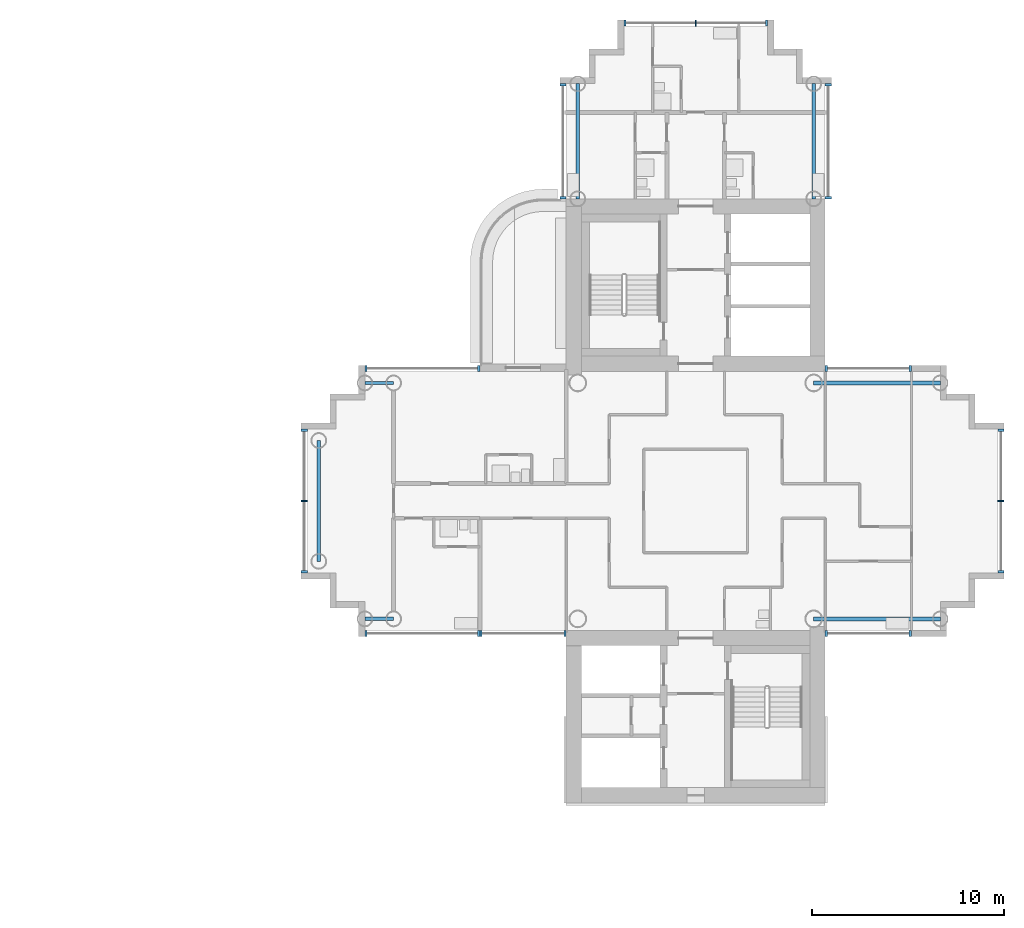
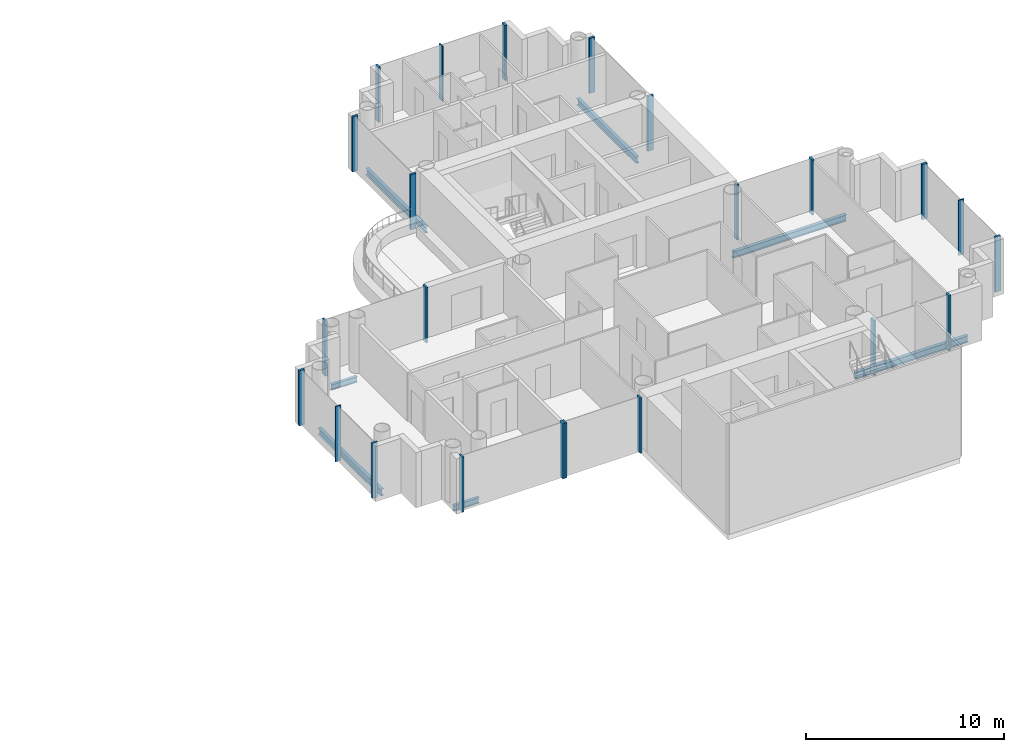
# One storey, part 4 of 20: 23 members, 7 beams, 10 elements without a shape of their own.
"""IFC4 building model written with IfcOpenShell, lengths in metres."""

from ifc_helpers import new_model, si_unit, direction, frame, origin, origin_2d, place, context, subcontext, project, spatial, rectangle, i_section, extrude, material, layer, layer_set, material_profile, profile_set, type_object, element, aggregate, save


model = new_model("IFC4")

# Units and contexts
model_context = context("Model", 3, precision=1e-05, world=origin(), true_north=direction((0.0, 1.0)))
body_context = subcontext(model_context, "Body", "Model", "MODEL_VIEW")
ifc_project = project(units=[si_unit("LENGTHUNIT", "METRE"), si_unit("AREAUNIT", "SQUARE_METRE"), si_unit("VOLUMEUNIT", "CUBIC_METRE"), si_unit("PLANEANGLEUNIT", "RADIAN"), si_unit("MASSUNIT", "GRAM", prefix="KILO")], contexts=[model_context])

# Site, building, storey
site_placement = place(None, origin())
site = spatial("IfcSite", under=ifc_project, at=site_placement, CompositionType="ELEMENT")
building_placement = place(site_placement, origin())
building = spatial("IfcBuilding", under=site, at=building_placement, Name="Ipe Terrace Towers", CompositionType="ELEMENT")
storey_placement = place(building_placement, frame((0.0, 0.0, 167.699951171875)))
storey = spatial("IfcBuildingStorey", under=building, at=storey_placement, Name="L46", CompositionType="ELEMENT", Elevation=167.699951171875)

# Beams
ifc_material_1 = material(Name="Steel S355", Category="steel")
ifc_material_profile_1 = material_profile(ifc_material_1, i_section(OverallWidth=0.175048828125, OverallDepth=0.35009765625, WebThickness=0.007080078125, FlangeThickness=0.010986328125, at=origin_2d()), Name="H-350x175x7x11")
ifc_profile_set_1 = profile_set([ifc_material_profile_1], Name="Steel S355")
beam_type_1 = type_object("IfcBeamType", Name="H04 EDGE BEAM H-350x175x7x11", PredefinedType="BEAM", material=ifc_profile_set_1)
for number, where, z_axis, x_axis, name in (
    (1, (20.25, 6.14990234375, -0.574951171875), (-1.0, 0.0, 0.0), (0.0, -1.0, 0.0), "Edge beam T2-EB-B03-B05"),
    (2, (20.25, -6.14990234375, -0.574951171875), (-1.0, 0.0, 0.0), (0.0, -1.0, 0.0), "Edge beam T2-EB-B04-B06"),
):
    element("IfcBeam", number, at=place(storey_placement, frame(where, z_axis=z_axis, x_axis=x_axis)), inside=storey, type_object=beam_type_1, Name=name, PredefinedType="BEAM", context=body_context, shape_type="SweptSolid", body=[
        extrude(i_section(OverallWidth=0.175048828125, OverallDepth=0.35009765625, WebThickness=0.007080078125, FlangeThickness=0.010986328125, at=origin_2d()), origin(), (0.0, 0.0, 1.0), 1.5),
    ])
ifc_material_2 = material(Name="Steel S355", Category="steel")
ifc_material_profile_2 = material_profile(ifc_material_2, i_section(OverallWidth=0.199951171875, OverallDepth=0.39990234375, WebThickness=0.008056640625, FlangeThickness=0.012939453125, at=origin_2d()), Name="H-400x200x8x13")
ifc_profile_set_2 = profile_set([ifc_material_profile_2], Name="Steel S355")
beam_type_2 = type_object("IfcBeamType", Name="H06 EDGE BEAM H-400x200x8x13", PredefinedType="BEAM", material=ifc_profile_set_2)
for number, where, z_axis, x_axis, name in (
    (3, (42.14990234375, 15.75, -0.599853515625), (0.0, 1.0, 0.0), (-1.0, 0.0, 0.0), "Edge beam T2-EB-A01-A03"),
    (4, (29.85009765625, 15.75, -0.599853515625), (0.0, 1.0, 0.0), (-1.0, 0.0, 0.0), "Edge beam T2-EB-A02-A04"),
):
    element("IfcBeam", number, at=place(storey_placement, frame(where, z_axis=z_axis, x_axis=x_axis)), inside=storey, type_object=beam_type_2, Name=name, PredefinedType="BEAM", context=body_context, shape_type="SweptSolid", body=[
        extrude(i_section(OverallWidth=0.199951171875, OverallDepth=0.39990234375, WebThickness=0.008056640625, FlangeThickness=0.012939453125, at=origin_2d()), origin(), (0.0, 0.0, 1.0), 6.0),
    ])
beam_placement = place(storey_placement, frame((16.35009765625, 3.14990234375, -0.599853515625), z_axis=(0.0, -1.0, 0.0), x_axis=(1.0, 0.0, 0.0)))
element("IfcBeam", 5, at=beam_placement, inside=storey, type_object=beam_type_2, Name="Edge beam T2-EB-B07-B08", PredefinedType="BEAM", context=body_context, shape_type="SweptSolid", body=[
    extrude(i_section(OverallWidth=0.199951171875, OverallDepth=0.39990234375, WebThickness=0.008056640625, FlangeThickness=0.012939453125, at=origin_2d()), origin(), (0.0, 0.0, 1.0), 6.2998046875),
])
for number, where, z_axis, x_axis, name in (
    (6, (48.75, -6.14990234375, -0.599853515625), (-1.0, 0.0, 0.0), (0.0, -1.0, 0.0), "Edge beam T2-EB-D01-E01"),
    (7, (48.75, 6.14990234375, -0.599853515625), (-1.0, 0.0, 0.0), (0.0, -1.0, 0.0), "Edge beam T2-EB-D02-E02"),
):
    element("IfcBeam", number, at=place(storey_placement, frame(where, z_axis=z_axis, x_axis=x_axis)), inside=storey, type_object=beam_type_2, Name=name, PredefinedType="BEAM", context=body_context, shape_type="SweptSolid", body=[
        extrude(i_section(OverallWidth=0.199951171875, OverallDepth=0.39990234375, WebThickness=0.008056640625, FlangeThickness=0.012939453125, at=origin_2d()), origin(), (0.0, 0.0, 1.0), 6.60009765625),
    ])

# Curtain wall, members
ifc_material_3 = material(Name="Aluminium alloy 6063-T6", Category="aluminium")
ifc_layer = layer(ifc_material_3, 0.320068359375)
ifc_layer_set = layer_set([ifc_layer], Name="TOWER UNITISED CURTAIN WALL")
curtain_wall_type = type_object("IfcCurtainWallType", Name="TOWER UNITISED CURTAIN WALL", PredefinedType="NOTDEFINED", material=ifc_layer_set)
curtain_wall_1_placement = place(storey_placement, origin())
curtain_wall_1 = element("IfcCurtainWall", 8, at=curtain_wall_1_placement, inside=storey, type_object=curtain_wall_type, Name="T2-CW-L46-02a curtain wall", PredefinedType="NOTDEFINED")
ifc_material_4 = material(Name="Aluminium alloy 6063-T6", Category="aluminium")
ifc_material_profile_3 = material_profile(ifc_material_4, rectangle(XDim=0.320068359375, YDim=0.1201171875, at=origin_2d()), Name="TOWER UNITISED CORNER MULLION 320 x 120")
ifc_profile_set_3 = profile_set([ifc_material_profile_3], Name="Aluminium alloy 6063-T6")
member_type_1 = type_object("IfcMemberType", Name="TOWER UNITISED CORNER MULLION 320 x 120", PredefinedType="MULLION", material=ifc_profile_set_3)
member_1_placement = place(storey_placement, frame((42.81005859375, -6.909912109375, -0.300048828125), z_axis=(0.0, 0.0, 1.0), x_axis=(0.0, -1.0, 0.0)))
member_1 = element("IfcMember", 9, at=member_1_placement, type_object=member_type_1, Name="T2-CW-L46-02a mullion 1", PredefinedType="MULLION", context=body_context, shape_type="SweptSolid", body=[
    extrude(rectangle(XDim=0.320068359375, YDim=0.1201171875, at=origin_2d()), origin(), (0.0, 0.0, 1.0), 3.400146484375),
])
member_2_placement = place(storey_placement, frame((47.18994140625, -6.909912109375, -0.300048828125), z_axis=(0.0, 0.0, 1.0), x_axis=(0.0, -1.0, 0.0)))
member_2 = element("IfcMember", 10, at=member_2_placement, type_object=member_type_1, Name="T2-CW-L46-02a mullion 2", PredefinedType="MULLION", context=body_context, shape_type="SweptSolid", body=[
    extrude(rectangle(XDim=0.320068359375, YDim=0.1201171875, at=origin_2d()), origin(), (0.0, 0.0, 1.0), 3.400146484375),
])
aggregate(curtain_wall_1, [member_1, member_2])

curtain_wall_2_placement = place(storey_placement, origin())
curtain_wall_2 = element("IfcCurtainWall", 11, at=curtain_wall_2_placement, inside=storey, type_object=curtain_wall_type, Name="T2-CW-L46-08a curtain wall", PredefinedType="NOTDEFINED")
member_3_placement = place(storey_placement, frame((51.909912109375, -3.68994140625, -0.300048828125), z_axis=(0.0, 0.0, 1.0), x_axis=(1.0, 0.0, 0.0)))
member_3 = element("IfcMember", 12, at=member_3_placement, type_object=member_type_1, Name="T2-CW-L46-08a mullion 1", PredefinedType="MULLION", context=body_context, shape_type="SweptSolid", body=[
    extrude(rectangle(XDim=0.320068359375, YDim=0.1201171875, at=origin_2d()), origin(), (0.0, 0.0, 1.0), 3.400146484375),
])
member_4_placement = place(storey_placement, frame((51.909912109375, 3.68994140625, -0.300048828125), z_axis=(0.0, 0.0, 1.0), x_axis=(1.0, 0.0, 0.0)))
member_4 = element("IfcMember", 13, at=member_4_placement, type_object=member_type_1, Name="T2-CW-L46-08a mullion 3", PredefinedType="MULLION", context=body_context, shape_type="SweptSolid", body=[
    extrude(rectangle(XDim=0.320068359375, YDim=0.1201171875, at=origin_2d()), origin(), (0.0, 0.0, 1.0), 3.400146484375),
])

curtain_wall_3_placement = place(storey_placement, origin())
curtain_wall_3 = element("IfcCurtainWall", 14, at=curtain_wall_3_placement, inside=storey, type_object=curtain_wall_type, Name="T2-CW-L46-14a curtain wall", PredefinedType="NOTDEFINED")
member_5_placement = place(storey_placement, frame((47.18994140625, 6.909912109375, -0.300048828125), z_axis=(0.0, 0.0, 1.0), x_axis=(0.0, 1.0, 0.0)))
member_5 = element("IfcMember", 15, at=member_5_placement, type_object=member_type_1, Name="T2-CW-L46-14a mullion 1", PredefinedType="MULLION", context=body_context, shape_type="SweptSolid", body=[
    extrude(rectangle(XDim=0.320068359375, YDim=0.1201171875, at=origin_2d()), origin(), (0.0, 0.0, 1.0), 3.400146484375),
])
member_6_placement = place(storey_placement, frame((42.81005859375, 6.909912109375, -0.300048828125), z_axis=(0.0, 0.0, 1.0), x_axis=(0.0, 1.0, 0.0)))
member_6 = element("IfcMember", 16, at=member_6_placement, type_object=member_type_1, Name="T2-CW-L46-14a mullion 2", PredefinedType="MULLION", context=body_context, shape_type="SweptSolid", body=[
    extrude(rectangle(XDim=0.320068359375, YDim=0.1201171875, at=origin_2d()), origin(), (0.0, 0.0, 1.0), 3.400146484375),
])
aggregate(curtain_wall_3, [member_5, member_6])

curtain_wall_4_placement = place(storey_placement, origin())
curtain_wall_4 = element("IfcCurtainWall", 17, at=curtain_wall_4_placement, inside=storey, type_object=curtain_wall_type, Name="T2-CW-L46-16b curtain wall", PredefinedType="NOTDEFINED")
member_7_placement = place(storey_placement, frame((42.909912109375, 15.81103515625, -0.300048828125), z_axis=(0.0, 0.0, 1.0), x_axis=(1.0, 0.0, 0.0)))
member_7 = element("IfcMember", 18, at=member_7_placement, type_object=member_type_1, Name="T2-CW-L46-16b mullion 1", PredefinedType="MULLION", context=body_context, shape_type="SweptSolid", body=[
    extrude(rectangle(XDim=0.320068359375, YDim=0.1201171875, at=origin_2d()), origin(), (0.0, 0.0, 1.0), 3.400146484375),
])
member_8_placement = place(storey_placement, frame((42.909912109375, 21.68994140625, -0.300048828125), z_axis=(0.0, 0.0, 1.0), x_axis=(1.0, 0.0, 0.0)))
member_8 = element("IfcMember", 19, at=member_8_placement, type_object=member_type_1, Name="T2-CW-L46-16b mullion 2", PredefinedType="MULLION", context=body_context, shape_type="SweptSolid", body=[
    extrude(rectangle(XDim=0.320068359375, YDim=0.1201171875, at=origin_2d()), origin(), (0.0, 0.0, 1.0), 3.400146484375),
])
aggregate(curtain_wall_4, [member_7, member_8])

curtain_wall_5_placement = place(storey_placement, origin())
curtain_wall_5 = element("IfcCurtainWall", 20, at=curtain_wall_5_placement, inside=storey, type_object=curtain_wall_type, Name="T2-CW-L46-21a curtain wall", PredefinedType="NOTDEFINED")
member_9_placement = place(storey_placement, frame((39.68994140625, 24.909912109375, -0.300048828125), z_axis=(0.0, 0.0, 1.0), x_axis=(0.0, 1.0, 0.0)))
member_9 = element("IfcMember", 21, at=member_9_placement, type_object=member_type_1, Name="T2-CW-L46-21a mullion 1", PredefinedType="MULLION", context=body_context, shape_type="SweptSolid", body=[
    extrude(rectangle(XDim=0.320068359375, YDim=0.1201171875, at=origin_2d()), origin(), (0.0, 0.0, 1.0), 3.400146484375),
])
member_10_placement = place(storey_placement, frame((32.31005859375, 24.909912109375, -0.300048828125), z_axis=(0.0, 0.0, 1.0), x_axis=(0.0, 1.0, 0.0)))
member_10 = element("IfcMember", 22, at=member_10_placement, type_object=member_type_1, Name="T2-CW-L46-21a mullion 3", PredefinedType="MULLION", context=body_context, shape_type="SweptSolid", body=[
    extrude(rectangle(XDim=0.320068359375, YDim=0.1201171875, at=origin_2d()), origin(), (0.0, 0.0, 1.0), 3.400146484375),
])

curtain_wall_6_placement = place(storey_placement, origin())
curtain_wall_6 = element("IfcCurtainWall", 23, at=curtain_wall_6_placement, inside=storey, type_object=curtain_wall_type, Name="T2-CW-L46-26a curtain wall", PredefinedType="NOTDEFINED")
member_11_placement = place(storey_placement, frame((29.090087890625, 21.68994140625, -0.300048828125), z_axis=(0.0, 0.0, 1.0), x_axis=(-1.0, 0.0, 0.0)))
member_11 = element("IfcMember", 24, at=member_11_placement, type_object=member_type_1, Name="T2-CW-L46-26a mullion 1", PredefinedType="MULLION", context=body_context, shape_type="SweptSolid", body=[
    extrude(rectangle(XDim=0.320068359375, YDim=0.1201171875, at=origin_2d()), origin(), (0.0, 0.0, 1.0), 3.400146484375),
])
member_12_placement = place(storey_placement, frame((29.090087890625, 15.81103515625, -0.300048828125), z_axis=(0.0, 0.0, 1.0), x_axis=(-1.0, 0.0, 0.0)))
member_12 = element("IfcMember", 25, at=member_12_placement, type_object=member_type_1, Name="T2-CW-L46-26a mullion 2", PredefinedType="MULLION", context=body_context, shape_type="SweptSolid", body=[
    extrude(rectangle(XDim=0.320068359375, YDim=0.1201171875, at=origin_2d()), origin(), (0.0, 0.0, 1.0), 3.400146484375),
])
aggregate(curtain_wall_6, [member_11, member_12])

curtain_wall_7_placement = place(storey_placement, origin())
curtain_wall_7 = element("IfcCurtainWall", 26, at=curtain_wall_7_placement, inside=storey, type_object=curtain_wall_type, Name="T2-CW-L46-29a curtain wall", PredefinedType="NOTDEFINED")
member_13_placement = place(storey_placement, frame((24.68994140625, 6.909912109375, -0.300048828125), z_axis=(0.0, 0.0, 1.0), x_axis=(0.0, 1.0, 0.0)))
member_13 = element("IfcMember", 27, at=member_13_placement, type_object=member_type_1, Name="T2-CW-L46-29a mullion 1", PredefinedType="MULLION", context=body_context, shape_type="SweptSolid", body=[
    extrude(rectangle(XDim=0.320068359375, YDim=0.1201171875, at=origin_2d()), origin(), (0.0, 0.0, 1.0), 3.400146484375),
])
member_14_placement = place(storey_placement, frame((18.81005859375, 6.909912109375, -0.300048828125), z_axis=(0.0, 0.0, 1.0), x_axis=(0.0, 1.0, 0.0)))
member_14 = element("IfcMember", 28, at=member_14_placement, type_object=member_type_1, Name="T2-CW-L46-29a mullion 2", PredefinedType="MULLION", context=body_context, shape_type="SweptSolid", body=[
    extrude(rectangle(XDim=0.320068359375, YDim=0.1201171875, at=origin_2d()), origin(), (0.0, 0.0, 1.0), 3.400146484375),
])
aggregate(curtain_wall_7, [member_13, member_14])

curtain_wall_8_placement = place(storey_placement, origin())
curtain_wall_8 = element("IfcCurtainWall", 29, at=curtain_wall_8_placement, inside=storey, type_object=curtain_wall_type, Name="T2-CW-L46-34a curtain wall", PredefinedType="NOTDEFINED")
member_15_placement = place(storey_placement, frame((15.590087890625, 3.68994140625, -0.300048828125), z_axis=(0.0, 0.0, 1.0), x_axis=(-1.0, 0.0, 0.0)))
member_15 = element("IfcMember", 30, at=member_15_placement, type_object=member_type_1, Name="T2-CW-L46-34a mullion 1", PredefinedType="MULLION", context=body_context, shape_type="SweptSolid", body=[
    extrude(rectangle(XDim=0.320068359375, YDim=0.1201171875, at=origin_2d()), origin(), (0.0, 0.0, 1.0), 3.400146484375),
])
member_16_placement = place(storey_placement, frame((15.590087890625, -3.68994140625, -0.300048828125), z_axis=(0.0, 0.0, 1.0), x_axis=(-1.0, 0.0, 0.0)))
member_16 = element("IfcMember", 31, at=member_16_placement, type_object=member_type_1, Name="T2-CW-L46-34a mullion 3", PredefinedType="MULLION", context=body_context, shape_type="SweptSolid", body=[
    extrude(rectangle(XDim=0.320068359375, YDim=0.1201171875, at=origin_2d()), origin(), (0.0, 0.0, 1.0), 3.400146484375),
])

curtain_wall_9_placement = place(storey_placement, origin())
curtain_wall_9 = element("IfcCurtainWall", 32, at=curtain_wall_9_placement, inside=storey, type_object=curtain_wall_type, Name="T2-CW-L46-39a curtain wall", PredefinedType="NOTDEFINED")
member_17_placement = place(storey_placement, frame((18.81005859375, -6.909912109375, -0.300048828125), z_axis=(0.0, 0.0, 1.0), x_axis=(0.0, -1.0, 0.0)))
member_17 = element("IfcMember", 33, at=member_17_placement, type_object=member_type_1, Name="T2-CW-L46-39a mullion 1", PredefinedType="MULLION", context=body_context, shape_type="SweptSolid", body=[
    extrude(rectangle(XDim=0.320068359375, YDim=0.1201171875, at=origin_2d()), origin(), (0.0, 0.0, 1.0), 3.400146484375),
])
member_18_placement = place(storey_placement, frame((24.68994140625, -6.909912109375, -0.300048828125), z_axis=(0.0, 0.0, 1.0), x_axis=(0.0, -1.0, 0.0)))
member_18 = element("IfcMember", 34, at=member_18_placement, type_object=member_type_1, Name="T2-CW-L46-39a mullion 2", PredefinedType="MULLION", context=body_context, shape_type="SweptSolid", body=[
    extrude(rectangle(XDim=0.320068359375, YDim=0.1201171875, at=origin_2d()), origin(), (0.0, 0.0, 1.0), 3.400146484375),
])
aggregate(curtain_wall_9, [member_17, member_18])

curtain_wall_10_placement = place(storey_placement, origin())
curtain_wall_10 = element("IfcCurtainWall", 35, at=curtain_wall_10_placement, inside=storey, type_object=curtain_wall_type, Name="T2-CW-L46-40a curtain wall", PredefinedType="NOTDEFINED")
member_19_placement = place(storey_placement, frame((24.81005859375, -6.909912109375, -0.300048828125), z_axis=(0.0, 0.0, 1.0), x_axis=(0.0, -1.0, 0.0)))
member_19 = element("IfcMember", 36, at=member_19_placement, type_object=member_type_1, Name="T2-CW-L46-40a mullion 1", PredefinedType="MULLION", context=body_context, shape_type="SweptSolid", body=[
    extrude(rectangle(XDim=0.320068359375, YDim=0.1201171875, at=origin_2d()), origin(), (0.0, 0.0, 1.0), 3.400146484375),
])
member_20_placement = place(storey_placement, frame((29.18994140625, -6.909912109375, -0.300048828125), z_axis=(0.0, 0.0, 1.0), x_axis=(0.0, -1.0, 0.0)))
member_20 = element("IfcMember", 37, at=member_20_placement, type_object=member_type_1, Name="T2-CW-L46-40a mullion 2", PredefinedType="MULLION", context=body_context, shape_type="SweptSolid", body=[
    extrude(rectangle(XDim=0.320068359375, YDim=0.1201171875, at=origin_2d()), origin(), (0.0, 0.0, 1.0), 3.400146484375),
])
aggregate(curtain_wall_10, [member_19, member_20])

# Member
ifc_material_5 = material(Name="Aluminium alloy 6063-T6", Category="aluminium")
ifc_material_profile_4 = material_profile(ifc_material_5, rectangle(XDim=0.320068359375, YDim=0.06494140625, at=origin_2d()), Name="TOWER UNITISED MULLION 320 x 65")
ifc_profile_set_4 = profile_set([ifc_material_profile_4], Name="Aluminium alloy 6063-T6")
member_type_2 = type_object("IfcMemberType", Name="TOWER UNITISED MULLION 320 x 65", PredefinedType="MULLION", material=ifc_profile_set_4)
member_21_placement = place(storey_placement, frame((51.909912109375, 0.0, -0.300048828125), z_axis=(0.0, 0.0, 1.0), x_axis=(1.0, 0.0, 0.0)))
member_21 = element("IfcMember", 38, at=member_21_placement, type_object=member_type_2, Name="T2-CW-L46-08a mullion 2", PredefinedType="MULLION", context=body_context, shape_type="SweptSolid", body=[
    extrude(rectangle(XDim=0.320068359375, YDim=0.06494140625, at=origin_2d()), origin(), (0.0, 0.0, 1.0), 3.400146484375),
])

aggregate(curtain_wall_2, [member_3, member_21, member_4])

member_22_placement = place(storey_placement, frame((36.0, 24.909912109375, -0.300048828125), z_axis=(0.0, 0.0, 1.0), x_axis=(0.0, 1.0, 0.0)))
member_22 = element("IfcMember", 39, at=member_22_placement, type_object=member_type_2, Name="T2-CW-L46-21a mullion 2", PredefinedType="MULLION", context=body_context, shape_type="SweptSolid", body=[
    extrude(rectangle(XDim=0.320068359375, YDim=0.06494140625, at=origin_2d()), origin(), (0.0, 0.0, 1.0), 3.400146484375),
])

aggregate(curtain_wall_5, [member_9, member_22, member_10])

member_23_placement = place(storey_placement, frame((15.590087890625, 0.0, -0.300048828125), z_axis=(0.0, 0.0, 1.0), x_axis=(-1.0, 0.0, 0.0)))
member_23 = element("IfcMember", 40, at=member_23_placement, type_object=member_type_2, Name="T2-CW-L46-34a mullion 2", PredefinedType="MULLION", context=body_context, shape_type="SweptSolid", body=[
    extrude(rectangle(XDim=0.320068359375, YDim=0.06494140625, at=origin_2d()), origin(), (0.0, 0.0, 1.0), 3.400146484375),
])

aggregate(curtain_wall_8, [member_15, member_23, member_16])

save(model, "model.ifc")
